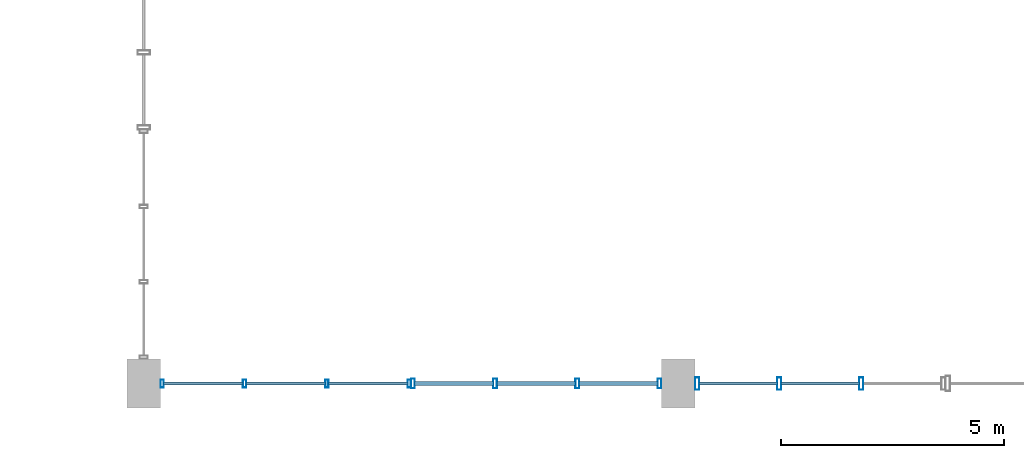
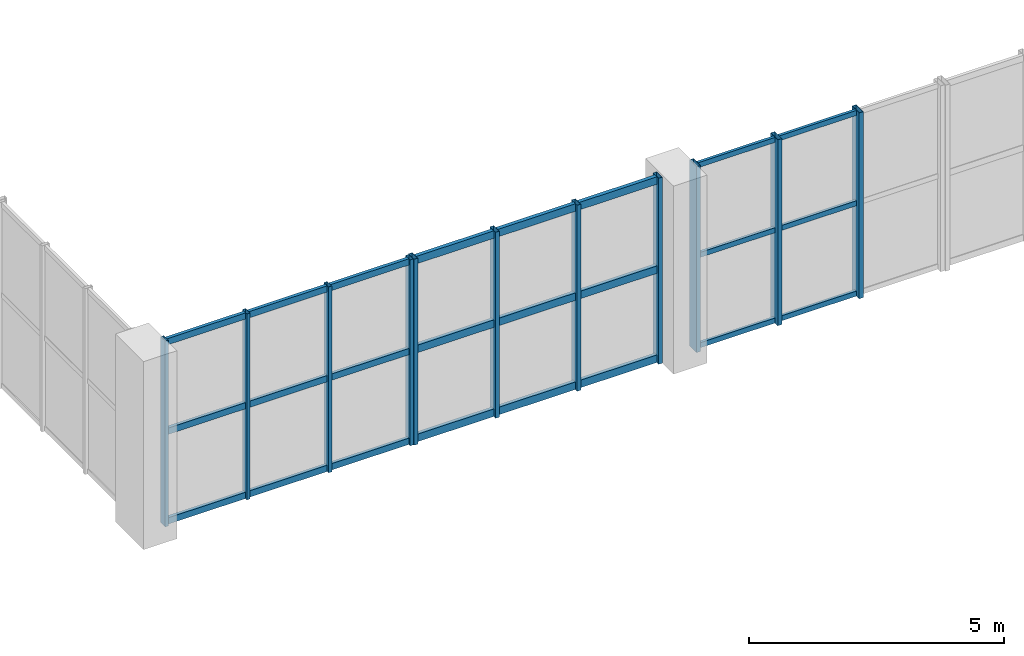
# One storey, part 18 of 48: 35 members, 3 elements without a shape of their own.
"""IFC4 building model written with IfcOpenShell, lengths in metres."""

from ifc_helpers import new_model, si_unit, direction, frame, origin, origin_2d, place, context, subcontext, project, spatial, hollow_rectangle, extrude, material, layer, layer_set, material_profile, profile_set, type_object, element, aggregate, save


model = new_model("IFC4")

# Units and contexts
model_context = context("Model", 3, precision=1e-05, world=origin(), true_north=direction((0.0, 1.0)))
body_context = subcontext(model_context, "Body", "Model", "MODEL_VIEW")
ifc_project = project(units=[si_unit("LENGTHUNIT", "METRE"), si_unit("AREAUNIT", "SQUARE_METRE"), si_unit("VOLUMEUNIT", "CUBIC_METRE"), si_unit("PLANEANGLEUNIT", "RADIAN"), si_unit("MASSUNIT", "GRAM", prefix="KILO"), si_unit("POWERUNIT", "WATT"), si_unit("THERMODYNAMICTEMPERATUREUNIT", "KELVIN")], contexts=[model_context])

# Site, building, storey
site_placement = place(None, origin())
site = spatial("IfcSite", under=ifc_project, at=site_placement, CompositionType="ELEMENT")
building_placement = place(site_placement, origin())
building = spatial("IfcBuilding", under=site, at=building_placement, Name="Kelmbourne Parkland Aquatics Centre", CompositionType="ELEMENT")
storey_placement = place(building_placement, frame((0.0, 0.0, 14.699951171875)))
storey = spatial("IfcBuildingStorey", under=building, at=storey_placement, Name="L03", CompositionType="ELEMENT", Elevation=14.699951171875)

# Curtain wall, members
ifc_material = material(Name="Thermally broken anodised aluminium framing", Category="aluminium")
ifc_layer_1 = layer(ifc_material, 0.179931640625)
ifc_layer_set_1 = layer_set([ifc_layer_1], Name="Thermally broken anodised aluminium framing")
curtain_wall_type_1 = type_object("IfcCurtainWallType", Name="CW-01", PredefinedType="NOTDEFINED", material=ifc_layer_set_1)
curtain_wall_1_placement = place(storey_placement, origin())
curtain_wall_1 = element("IfcCurtainWall", 1, at=curtain_wall_1_placement, inside=storey, type_object=curtain_wall_type_1, Name="Wave-hall clerestory curtain wall CW-L03-121", PredefinedType="NOTDEFINED")
ifc_material_profile_1 = material_profile(ifc_material, hollow_rectangle(XDim=0.074951171875, YDim=0.179931640625, WallThickness=0.00439453125, at=origin_2d()), Name="CW-M 75x180")
ifc_profile_set_1 = profile_set([ifc_material_profile_1], Name="Thermally broken anodised aluminium framing")
member_type_1 = type_object("IfcMemberType", Name="MB-MUL-2", PredefinedType="MULLION", material=ifc_profile_set_1)
member_1_placement = place(storey_placement, frame((128.41455078125, 0.800048828125, 0.0), z_axis=(0.0, 0.0, 1.0), x_axis=(1.0, 0.0, 0.0)))
member_1 = element("IfcMember", 2, at=member_1_placement, type_object=member_type_1, Name="CW-L03-121 mullion 0", PredefinedType="MULLION", context=body_context, shape_type="SweptSolid", body=[
    extrude(hollow_rectangle(XDim=0.074951171875, YDim=0.179931640625, WallThickness=0.00439453125, at=origin_2d()), origin(), (0.0, 0.0, 1.0), 4.449951171875),
])
member_2_placement = place(storey_placement, frame((130.263916015625, 0.800048828125, 0.0), z_axis=(0.0, 0.0, 1.0), x_axis=(1.0, 0.0, 0.0)))
member_2 = element("IfcMember", 3, at=member_2_placement, type_object=member_type_1, Name="CW-L03-121 mullion 1", PredefinedType="MULLION", context=body_context, shape_type="SweptSolid", body=[
    extrude(hollow_rectangle(XDim=0.074951171875, YDim=0.179931640625, WallThickness=0.00439453125, at=origin_2d()), origin(), (0.0, 0.0, 1.0), 4.449951171875),
])
member_3_placement = place(storey_placement, frame((132.11328125, 0.800048828125, 0.0), z_axis=(0.0, 0.0, 1.0), x_axis=(1.0, 0.0, 0.0)))
member_3 = element("IfcMember", 4, at=member_3_placement, type_object=member_type_1, Name="CW-L03-121 mullion 2", PredefinedType="MULLION", context=body_context, shape_type="SweptSolid", body=[
    extrude(hollow_rectangle(XDim=0.074951171875, YDim=0.179931640625, WallThickness=0.00439453125, at=origin_2d()), origin(), (0.0, 0.0, 1.0), 4.449951171875),
])
member_4_placement = place(storey_placement, frame((133.96240234375, 0.800048828125, 0.0), z_axis=(0.0, 0.0, 1.0), x_axis=(1.0, 0.0, 0.0)))
member_4 = element("IfcMember", 5, at=member_4_placement, type_object=member_type_1, Name="CW-L03-121 mullion 3", PredefinedType="MULLION", context=body_context, shape_type="SweptSolid", body=[
    extrude(hollow_rectangle(XDim=0.074951171875, YDim=0.179931640625, WallThickness=0.00439453125, at=origin_2d()), origin(), (0.0, 0.0, 1.0), 4.449951171875),
])

ifc_layer_2 = layer(ifc_material, 0.179931640625)
ifc_layer_set_2 = layer_set([ifc_layer_2], Name="Thermally broken anodised aluminium framing")
curtain_wall_type_2 = type_object("IfcCurtainWallType", Name="CW-02", PredefinedType="NOTDEFINED", material=ifc_layer_set_2)
curtain_wall_2_placement = place(storey_placement, origin())
curtain_wall_2 = element("IfcCurtainWall", 6, at=curtain_wall_2_placement, inside=storey, type_object=curtain_wall_type_2, Name="Wave-hall clerestory curtain wall CW-L03-122", PredefinedType="NOTDEFINED")
ifc_material_profile_2 = material_profile(ifc_material, hollow_rectangle(XDim=0.0849609375, YDim=0.219970703125, WallThickness=0.0048828125, at=origin_2d()), Name="CW-M 85x220")
ifc_profile_set_2 = profile_set([ifc_material_profile_2], Name="Thermally broken anodised aluminium framing")
member_type_2 = type_object("IfcMemberType", Name="MB-MUL-3", PredefinedType="MULLION", material=ifc_profile_set_2)
member_5_placement = place(storey_placement, frame((134.04248046875, 0.800048828125, 0.0), z_axis=(0.0, 0.0, 1.0), x_axis=(1.0, 0.0, 0.0)))
member_5 = element("IfcMember", 7, at=member_5_placement, type_object=member_type_2, Name="CW-L03-122 mullion 0", PredefinedType="MULLION", context=body_context, shape_type="SweptSolid", body=[
    extrude(hollow_rectangle(XDim=0.0849609375, YDim=0.219970703125, WallThickness=0.0048828125, at=origin_2d()), origin(), (0.0, 0.0, 1.0), 4.449951171875),
])
member_6_placement = place(storey_placement, frame((135.888427734375, 0.800048828125, 0.0), z_axis=(0.0, 0.0, 1.0), x_axis=(1.0, 0.0, 0.0)))
member_6 = element("IfcMember", 8, at=member_6_placement, type_object=member_type_2, Name="CW-L03-122 mullion 1", PredefinedType="MULLION", context=body_context, shape_type="SweptSolid", body=[
    extrude(hollow_rectangle(XDim=0.0849609375, YDim=0.219970703125, WallThickness=0.0048828125, at=origin_2d()), origin(), (0.0, 0.0, 1.0), 4.449951171875),
])
member_7_placement = place(storey_placement, frame((137.734619140625, 0.800048828125, 0.0), z_axis=(0.0, 0.0, 1.0), x_axis=(1.0, 0.0, 0.0)))
member_7 = element("IfcMember", 9, at=member_7_placement, type_object=member_type_2, Name="CW-L03-122 mullion 2", PredefinedType="MULLION", context=body_context, shape_type="SweptSolid", body=[
    extrude(hollow_rectangle(XDim=0.0849609375, YDim=0.219970703125, WallThickness=0.0048828125, at=origin_2d()), origin(), (0.0, 0.0, 1.0), 4.449951171875),
])
member_8_placement = place(storey_placement, frame((139.58056640625, 0.800048828125, 0.0), z_axis=(0.0, 0.0, 1.0), x_axis=(1.0, 0.0, 0.0)))
member_8 = element("IfcMember", 10, at=member_8_placement, type_object=member_type_2, Name="CW-L03-122 mullion 3", PredefinedType="MULLION", context=body_context, shape_type="SweptSolid", body=[
    extrude(hollow_rectangle(XDim=0.0849609375, YDim=0.219970703125, WallThickness=0.0048828125, at=origin_2d()), origin(), (0.0, 0.0, 1.0), 4.449951171875),
])

ifc_layer_3 = layer(ifc_material, 0.179931640625)
ifc_layer_set_3 = layer_set([ifc_layer_3], Name="Thermally broken anodised aluminium framing")
curtain_wall_type_3 = type_object("IfcCurtainWallType", Name="CW-03", PredefinedType="NOTDEFINED", material=ifc_layer_set_3)
curtain_wall_3_placement = place(storey_placement, origin())
curtain_wall_3 = element("IfcCurtainWall", 11, at=curtain_wall_3_placement, inside=storey, type_object=curtain_wall_type_3, Name="Wave-hall clerestory curtain wall CW-L03-123", PredefinedType="NOTDEFINED")
ifc_material_profile_3 = material_profile(ifc_material, hollow_rectangle(XDim=0.094970703125, YDim=0.280029296875, WallThickness=0.005615234375, at=origin_2d()), Name="CW-M 95x280")
ifc_profile_set_3 = profile_set([ifc_material_profile_3], Name="Thermally broken anodised aluminium framing")
member_type_3 = type_object("IfcMemberType", Name="MB-MUL-4", PredefinedType="MULLION", material=ifc_profile_set_3)
member_9_placement = place(storey_placement, frame((140.424560546875, 0.800048828125, 0.0), z_axis=(0.0, 0.0, 1.0), x_axis=(1.0, 0.0, 0.0)))
member_9 = element("IfcMember", 12, at=member_9_placement, type_object=member_type_3, Name="CW-L03-123 mullion 0", PredefinedType="MULLION", context=body_context, shape_type="SweptSolid", body=[
    extrude(hollow_rectangle(XDim=0.094970703125, YDim=0.280029296875, WallThickness=0.005615234375, at=origin_2d()), origin(), (0.0, 0.0, 1.0), 4.449951171875),
])
member_10_placement = place(storey_placement, frame((142.26708984375, 0.800048828125, 0.0), z_axis=(0.0, 0.0, 1.0), x_axis=(1.0, 0.0, 0.0)))
member_10 = element("IfcMember", 13, at=member_10_placement, type_object=member_type_3, Name="CW-L03-123 mullion 1", PredefinedType="MULLION", context=body_context, shape_type="SweptSolid", body=[
    extrude(hollow_rectangle(XDim=0.094970703125, YDim=0.280029296875, WallThickness=0.005615234375, at=origin_2d()), origin(), (0.0, 0.0, 1.0), 4.449951171875),
])
member_11_placement = place(storey_placement, frame((144.10986328125, 0.800048828125, 0.0), z_axis=(0.0, 0.0, 1.0), x_axis=(1.0, 0.0, 0.0)))
member_11 = element("IfcMember", 14, at=member_11_placement, type_object=member_type_3, Name="CW-L03-123 mullion 2", PredefinedType="MULLION", context=body_context, shape_type="SweptSolid", body=[
    extrude(hollow_rectangle(XDim=0.094970703125, YDim=0.280029296875, WallThickness=0.005615234375, at=origin_2d()), origin(), (0.0, 0.0, 1.0), 4.449951171875),
])
ifc_material_profile_4 = material_profile(ifc_material, hollow_rectangle(XDim=0.06494140625, YDim=0.1201171875, WallThickness=0.00341796875, at=origin_2d()), Name="CW-T 65x120")
ifc_profile_set_4 = profile_set([ifc_material_profile_4], Name="Thermally broken anodised aluminium framing")
member_type_4 = type_object("IfcMemberType", Name="MB-TRN-1", PredefinedType="USERDEFINED", material=ifc_profile_set_4)
member_12_placement = place(storey_placement, frame((140.468017578125, 0.800048828125, 0.06298828125), z_axis=(1.0, 0.0, 0.0), x_axis=(0.0, 1.0, 0.0)))
member_12 = element("IfcMember", 15, at=member_12_placement, type_object=member_type_4, Name="CW-L03-123 transom 0-0", ObjectType="TRANSOM", PredefinedType="USERDEFINED", context=body_context, shape_type="SweptSolid", body=[
    extrude(hollow_rectangle(XDim=0.06494140625, YDim=0.1201171875, WallThickness=0.00341796875, at=origin_2d()), origin(), (0.0, 0.0, 1.0), 1.755615234375),
])
member_13_placement = place(storey_placement, frame((142.310791015625, 0.800048828125, 0.06298828125), z_axis=(1.0, 0.0, 0.0), x_axis=(0.0, 1.0, 0.0)))
member_13 = element("IfcMember", 16, at=member_13_placement, type_object=member_type_4, Name="CW-L03-123 transom 0-1", ObjectType="TRANSOM", PredefinedType="USERDEFINED", context=body_context, shape_type="SweptSolid", body=[
    extrude(hollow_rectangle(XDim=0.06494140625, YDim=0.1201171875, WallThickness=0.00341796875, at=origin_2d()), origin(), (0.0, 0.0, 1.0), 1.755615234375),
])
member_14_placement = place(storey_placement, frame((140.468017578125, 0.800048828125, 2.22509765625), z_axis=(1.0, 0.0, 0.0), x_axis=(0.0, 1.0, 0.0)))
member_14 = element("IfcMember", 17, at=member_14_placement, type_object=member_type_4, Name="CW-L03-123 transom 1-0", ObjectType="TRANSOM", PredefinedType="USERDEFINED", context=body_context, shape_type="SweptSolid", body=[
    extrude(hollow_rectangle(XDim=0.06494140625, YDim=0.1201171875, WallThickness=0.00341796875, at=origin_2d()), origin(), (0.0, 0.0, 1.0), 1.755615234375),
])
member_15_placement = place(storey_placement, frame((142.310791015625, 0.800048828125, 2.22509765625), z_axis=(1.0, 0.0, 0.0), x_axis=(0.0, 1.0, 0.0)))
member_15 = element("IfcMember", 18, at=member_15_placement, type_object=member_type_4, Name="CW-L03-123 transom 1-1", ObjectType="TRANSOM", PredefinedType="USERDEFINED", context=body_context, shape_type="SweptSolid", body=[
    extrude(hollow_rectangle(XDim=0.06494140625, YDim=0.1201171875, WallThickness=0.00341796875, at=origin_2d()), origin(), (0.0, 0.0, 1.0), 1.755615234375),
])
member_16_placement = place(storey_placement, frame((140.468017578125, 0.800048828125, 4.386962890625), z_axis=(1.0, 0.0, 0.0), x_axis=(0.0, 1.0, 0.0)))
member_16 = element("IfcMember", 19, at=member_16_placement, type_object=member_type_4, Name="CW-L03-123 transom 2-0", ObjectType="TRANSOM", PredefinedType="USERDEFINED", context=body_context, shape_type="SweptSolid", body=[
    extrude(hollow_rectangle(XDim=0.06494140625, YDim=0.1201171875, WallThickness=0.00341796875, at=origin_2d()), origin(), (0.0, 0.0, 1.0), 1.755615234375),
])
member_17_placement = place(storey_placement, frame((142.310791015625, 0.800048828125, 4.386962890625), z_axis=(1.0, 0.0, 0.0), x_axis=(0.0, 1.0, 0.0)))
member_17 = element("IfcMember", 20, at=member_17_placement, type_object=member_type_4, Name="CW-L03-123 transom 2-1", ObjectType="TRANSOM", PredefinedType="USERDEFINED", context=body_context, shape_type="SweptSolid", body=[
    extrude(hollow_rectangle(XDim=0.06494140625, YDim=0.1201171875, WallThickness=0.00341796875, at=origin_2d()), origin(), (0.0, 0.0, 1.0), 1.755615234375),
])
aggregate(curtain_wall_3, [member_9, member_10, member_11, member_12, member_13, member_14, member_15, member_16, member_17])

# Member
ifc_material_profile_5 = material_profile(ifc_material, hollow_rectangle(XDim=0.074951171875, YDim=0.14990234375, WallThickness=0.00390625, at=origin_2d()), Name="CW-T 75x150")
ifc_profile_set_5 = profile_set([ifc_material_profile_5], Name="Thermally broken anodised aluminium framing")
member_type_5 = type_object("IfcMemberType", Name="MB-TRN-2", PredefinedType="USERDEFINED", material=ifc_profile_set_5)
member_18_placement = place(storey_placement, frame((128.447998046875, 0.800048828125, 0.078125), z_axis=(1.0, 0.0, 0.0), x_axis=(0.0, 1.0, 0.0)))
member_18 = element("IfcMember", 21, at=member_18_placement, type_object=member_type_5, Name="CW-L03-121 transom 0-0", ObjectType="TRANSOM", PredefinedType="USERDEFINED", context=body_context, shape_type="SweptSolid", body=[
    extrude(hollow_rectangle(XDim=0.074951171875, YDim=0.14990234375, WallThickness=0.00390625, at=origin_2d()), origin(), (0.0, 0.0, 1.0), 1.7822265625),
])

member_19_placement = place(storey_placement, frame((130.29736328125, 0.800048828125, 0.078125), z_axis=(1.0, 0.0, 0.0), x_axis=(0.0, 1.0, 0.0)))
member_19 = element("IfcMember", 22, at=member_19_placement, type_object=member_type_5, Name="CW-L03-121 transom 0-1", ObjectType="TRANSOM", PredefinedType="USERDEFINED", context=body_context, shape_type="SweptSolid", body=[
    extrude(hollow_rectangle(XDim=0.074951171875, YDim=0.14990234375, WallThickness=0.00390625, at=origin_2d()), origin(), (0.0, 0.0, 1.0), 1.7822265625),
])

member_20_placement = place(storey_placement, frame((132.146728515625, 0.800048828125, 0.078125), z_axis=(1.0, 0.0, 0.0), x_axis=(0.0, 1.0, 0.0)))
member_20 = element("IfcMember", 23, at=member_20_placement, type_object=member_type_5, Name="CW-L03-121 transom 0-2", ObjectType="TRANSOM", PredefinedType="USERDEFINED", context=body_context, shape_type="SweptSolid", body=[
    extrude(hollow_rectangle(XDim=0.074951171875, YDim=0.14990234375, WallThickness=0.00390625, at=origin_2d()), origin(), (0.0, 0.0, 1.0), 1.7822265625),
])

member_21_placement = place(storey_placement, frame((128.447998046875, 0.800048828125, 2.22509765625), z_axis=(1.0, 0.0, 0.0), x_axis=(0.0, 1.0, 0.0)))
member_21 = element("IfcMember", 24, at=member_21_placement, type_object=member_type_5, Name="CW-L03-121 transom 1-0", ObjectType="TRANSOM", PredefinedType="USERDEFINED", context=body_context, shape_type="SweptSolid", body=[
    extrude(hollow_rectangle(XDim=0.074951171875, YDim=0.14990234375, WallThickness=0.00390625, at=origin_2d()), origin(), (0.0, 0.0, 1.0), 1.7822265625),
])

member_22_placement = place(storey_placement, frame((130.29736328125, 0.800048828125, 2.22509765625), z_axis=(1.0, 0.0, 0.0), x_axis=(0.0, 1.0, 0.0)))
member_22 = element("IfcMember", 25, at=member_22_placement, type_object=member_type_5, Name="CW-L03-121 transom 1-1", ObjectType="TRANSOM", PredefinedType="USERDEFINED", context=body_context, shape_type="SweptSolid", body=[
    extrude(hollow_rectangle(XDim=0.074951171875, YDim=0.14990234375, WallThickness=0.00390625, at=origin_2d()), origin(), (0.0, 0.0, 1.0), 1.7822265625),
])

member_23_placement = place(storey_placement, frame((132.146728515625, 0.800048828125, 2.22509765625), z_axis=(1.0, 0.0, 0.0), x_axis=(0.0, 1.0, 0.0)))
member_23 = element("IfcMember", 26, at=member_23_placement, type_object=member_type_5, Name="CW-L03-121 transom 1-2", ObjectType="TRANSOM", PredefinedType="USERDEFINED", context=body_context, shape_type="SweptSolid", body=[
    extrude(hollow_rectangle(XDim=0.074951171875, YDim=0.14990234375, WallThickness=0.00390625, at=origin_2d()), origin(), (0.0, 0.0, 1.0), 1.7822265625),
])

member_24_placement = place(storey_placement, frame((128.447998046875, 0.800048828125, 4.3720703125), z_axis=(1.0, 0.0, 0.0), x_axis=(0.0, 1.0, 0.0)))
member_24 = element("IfcMember", 27, at=member_24_placement, type_object=member_type_5, Name="CW-L03-121 transom 2-0", ObjectType="TRANSOM", PredefinedType="USERDEFINED", context=body_context, shape_type="SweptSolid", body=[
    extrude(hollow_rectangle(XDim=0.074951171875, YDim=0.14990234375, WallThickness=0.00390625, at=origin_2d()), origin(), (0.0, 0.0, 1.0), 1.7822265625),
])

member_25_placement = place(storey_placement, frame((130.29736328125, 0.800048828125, 4.3720703125), z_axis=(1.0, 0.0, 0.0), x_axis=(0.0, 1.0, 0.0)))
member_25 = element("IfcMember", 28, at=member_25_placement, type_object=member_type_5, Name="CW-L03-121 transom 2-1", ObjectType="TRANSOM", PredefinedType="USERDEFINED", context=body_context, shape_type="SweptSolid", body=[
    extrude(hollow_rectangle(XDim=0.074951171875, YDim=0.14990234375, WallThickness=0.00390625, at=origin_2d()), origin(), (0.0, 0.0, 1.0), 1.7822265625),
])

member_26_placement = place(storey_placement, frame((132.146728515625, 0.800048828125, 4.3720703125), z_axis=(1.0, 0.0, 0.0), x_axis=(0.0, 1.0, 0.0)))
member_26 = element("IfcMember", 29, at=member_26_placement, type_object=member_type_5, Name="CW-L03-121 transom 2-2", ObjectType="TRANSOM", PredefinedType="USERDEFINED", context=body_context, shape_type="SweptSolid", body=[
    extrude(hollow_rectangle(XDim=0.074951171875, YDim=0.14990234375, WallThickness=0.00390625, at=origin_2d()), origin(), (0.0, 0.0, 1.0), 1.7822265625),
])

aggregate(curtain_wall_1, [member_1, member_2, member_3, member_4, member_18, member_19, member_20, member_21, member_22, member_23, member_24, member_25, member_26])

ifc_material_profile_6 = material_profile(ifc_material, hollow_rectangle(XDim=0.0849609375, YDim=0.179931640625, WallThickness=0.00439453125, at=origin_2d()), Name="CW-T 85x180")
ifc_profile_set_6 = profile_set([ifc_material_profile_6], Name="Thermally broken anodised aluminium framing")
member_type_6 = type_object("IfcMemberType", Name="MB-TRN-3", PredefinedType="USERDEFINED", material=ifc_profile_set_6)
member_27_placement = place(storey_placement, frame((134.0810546875, 0.800048828125, 0.093017578125), z_axis=(1.0, 0.0, 0.0), x_axis=(0.0, 1.0, 0.0)))
member_27 = element("IfcMember", 30, at=member_27_placement, type_object=member_type_6, Name="CW-L03-122 transom 0-0", ObjectType="TRANSOM", PredefinedType="USERDEFINED", context=body_context, shape_type="SweptSolid", body=[
    extrude(hollow_rectangle(XDim=0.0849609375, YDim=0.179931640625, WallThickness=0.00439453125, at=origin_2d()), origin(), (0.0, 0.0, 1.0), 1.76904296875),
])

member_28_placement = place(storey_placement, frame((135.927001953125, 0.800048828125, 0.093017578125), z_axis=(1.0, 0.0, 0.0), x_axis=(0.0, 1.0, 0.0)))
member_28 = element("IfcMember", 31, at=member_28_placement, type_object=member_type_6, Name="CW-L03-122 transom 0-1", ObjectType="TRANSOM", PredefinedType="USERDEFINED", context=body_context, shape_type="SweptSolid", body=[
    extrude(hollow_rectangle(XDim=0.0849609375, YDim=0.179931640625, WallThickness=0.00439453125, at=origin_2d()), origin(), (0.0, 0.0, 1.0), 1.76904296875),
])

member_29_placement = place(storey_placement, frame((137.77294921875, 0.800048828125, 0.093017578125), z_axis=(1.0, 0.0, 0.0), x_axis=(0.0, 1.0, 0.0)))
member_29 = element("IfcMember", 32, at=member_29_placement, type_object=member_type_6, Name="CW-L03-122 transom 0-2", ObjectType="TRANSOM", PredefinedType="USERDEFINED", context=body_context, shape_type="SweptSolid", body=[
    extrude(hollow_rectangle(XDim=0.0849609375, YDim=0.179931640625, WallThickness=0.00439453125, at=origin_2d()), origin(), (0.0, 0.0, 1.0), 1.76904296875),
])

member_30_placement = place(storey_placement, frame((134.0810546875, 0.800048828125, 2.22509765625), z_axis=(1.0, 0.0, 0.0), x_axis=(0.0, 1.0, 0.0)))
member_30 = element("IfcMember", 33, at=member_30_placement, type_object=member_type_6, Name="CW-L03-122 transom 1-0", ObjectType="TRANSOM", PredefinedType="USERDEFINED", context=body_context, shape_type="SweptSolid", body=[
    extrude(hollow_rectangle(XDim=0.0849609375, YDim=0.179931640625, WallThickness=0.00439453125, at=origin_2d()), origin(), (0.0, 0.0, 1.0), 1.76904296875),
])

member_31_placement = place(storey_placement, frame((135.927001953125, 0.800048828125, 2.22509765625), z_axis=(1.0, 0.0, 0.0), x_axis=(0.0, 1.0, 0.0)))
member_31 = element("IfcMember", 34, at=member_31_placement, type_object=member_type_6, Name="CW-L03-122 transom 1-1", ObjectType="TRANSOM", PredefinedType="USERDEFINED", context=body_context, shape_type="SweptSolid", body=[
    extrude(hollow_rectangle(XDim=0.0849609375, YDim=0.179931640625, WallThickness=0.00439453125, at=origin_2d()), origin(), (0.0, 0.0, 1.0), 1.76904296875),
])

member_32_placement = place(storey_placement, frame((137.77294921875, 0.800048828125, 2.22509765625), z_axis=(1.0, 0.0, 0.0), x_axis=(0.0, 1.0, 0.0)))
member_32 = element("IfcMember", 35, at=member_32_placement, type_object=member_type_6, Name="CW-L03-122 transom 1-2", ObjectType="TRANSOM", PredefinedType="USERDEFINED", context=body_context, shape_type="SweptSolid", body=[
    extrude(hollow_rectangle(XDim=0.0849609375, YDim=0.179931640625, WallThickness=0.00439453125, at=origin_2d()), origin(), (0.0, 0.0, 1.0), 1.76904296875),
])

member_33_placement = place(storey_placement, frame((134.0810546875, 0.800048828125, 4.35693359375), z_axis=(1.0, 0.0, 0.0), x_axis=(0.0, 1.0, 0.0)))
member_33 = element("IfcMember", 36, at=member_33_placement, type_object=member_type_6, Name="CW-L03-122 transom 2-0", ObjectType="TRANSOM", PredefinedType="USERDEFINED", context=body_context, shape_type="SweptSolid", body=[
    extrude(hollow_rectangle(XDim=0.0849609375, YDim=0.179931640625, WallThickness=0.00439453125, at=origin_2d()), origin(), (0.0, 0.0, 1.0), 1.76904296875),
])

member_34_placement = place(storey_placement, frame((135.927001953125, 0.800048828125, 4.35693359375), z_axis=(1.0, 0.0, 0.0), x_axis=(0.0, 1.0, 0.0)))
member_34 = element("IfcMember", 37, at=member_34_placement, type_object=member_type_6, Name="CW-L03-122 transom 2-1", ObjectType="TRANSOM", PredefinedType="USERDEFINED", context=body_context, shape_type="SweptSolid", body=[
    extrude(hollow_rectangle(XDim=0.0849609375, YDim=0.179931640625, WallThickness=0.00439453125, at=origin_2d()), origin(), (0.0, 0.0, 1.0), 1.76904296875),
])

member_35_placement = place(storey_placement, frame((137.77294921875, 0.800048828125, 4.35693359375), z_axis=(1.0, 0.0, 0.0), x_axis=(0.0, 1.0, 0.0)))
member_35 = element("IfcMember", 38, at=member_35_placement, type_object=member_type_6, Name="CW-L03-122 transom 2-2", ObjectType="TRANSOM", PredefinedType="USERDEFINED", context=body_context, shape_type="SweptSolid", body=[
    extrude(hollow_rectangle(XDim=0.0849609375, YDim=0.179931640625, WallThickness=0.00439453125, at=origin_2d()), origin(), (0.0, 0.0, 1.0), 1.76904296875),
])

aggregate(curtain_wall_2, [member_5, member_6, member_7, member_8, member_27, member_28, member_29, member_30, member_31, member_32, member_33, member_34, member_35])

save(model, "model.ifc")
